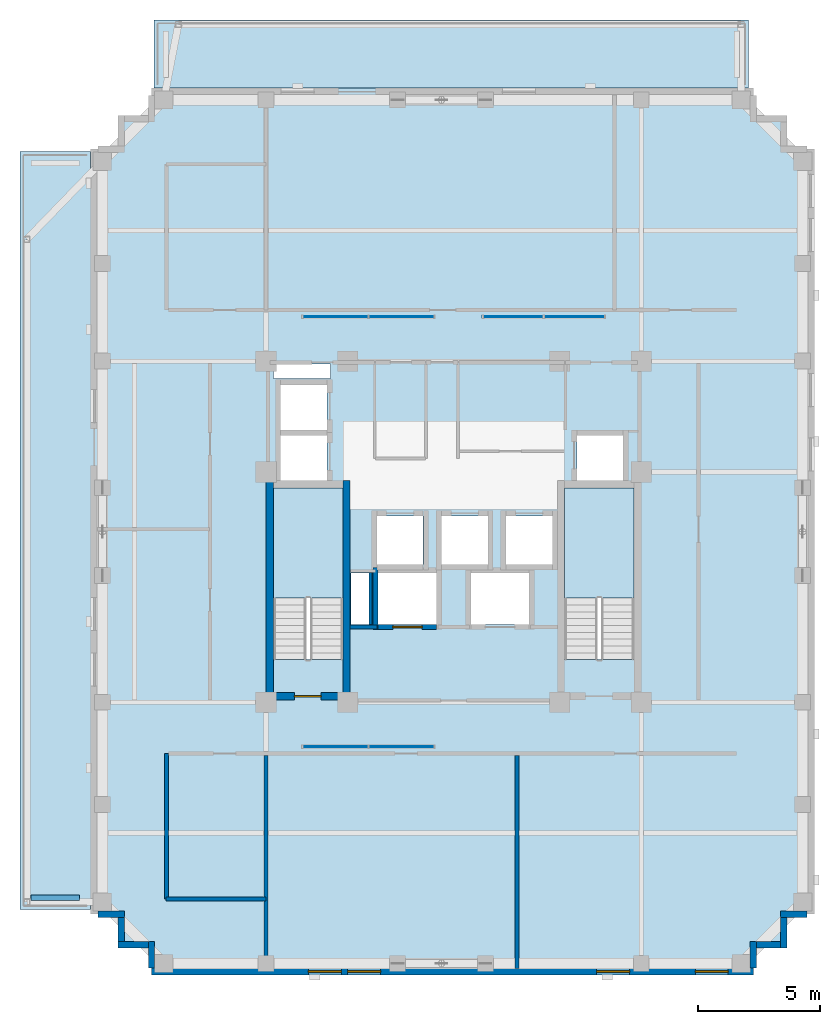
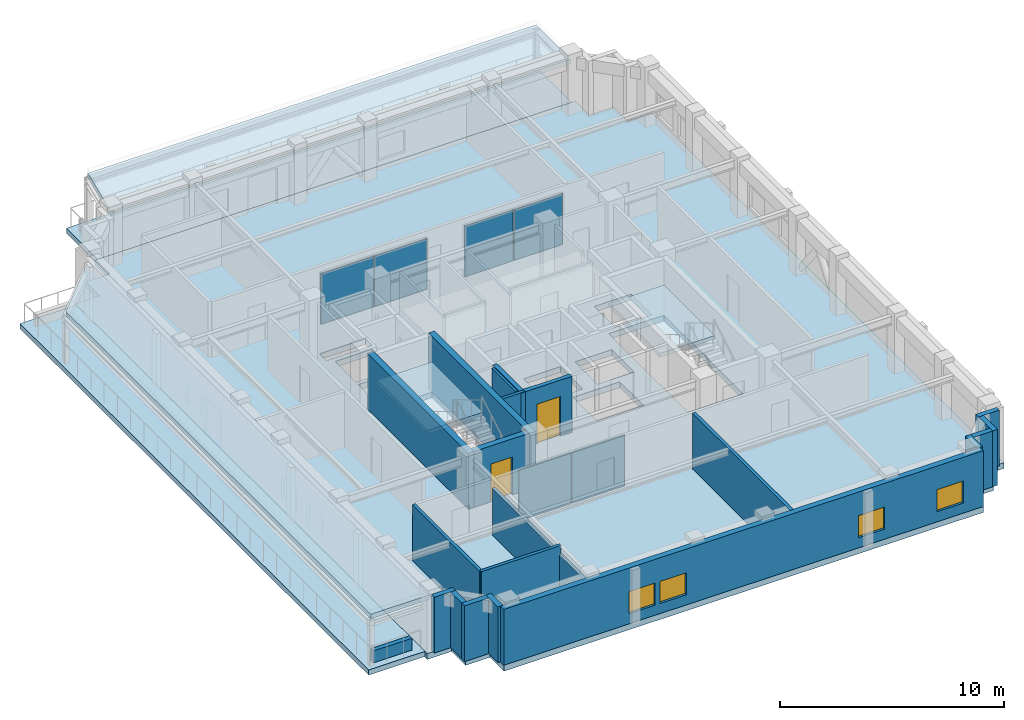
# One storey, part 7 of 14: 21 walls, 7 slabs, 6 plates, 4 windows, 2 doors, 6 openings, 5 elements without a shape of their own.
"""IFC4 building model written with IfcOpenShell, lengths in metres."""

from ifc_helpers import new_model, si_unit, derived_unit, direction, frame, frame_2d, origin, origin_2d, place, context, subcontext, project, spatial, polyline, rectangle, outline, extrude, material, layer, layer_set, type_object, element, fill, aggregate, save


model = new_model("IFC4")

# Units and contexts
model_context = context("Model", 3, precision=1e-05, world=origin(), true_north=direction((0.0, 1.0)))
body_context = subcontext(model_context, "Body", "Model", "MODEL_VIEW")
ifc_project = project(units=[si_unit("LENGTHUNIT", "METRE"), si_unit("AREAUNIT", "SQUARE_METRE"), si_unit("VOLUMEUNIT", "CUBIC_METRE"), si_unit("PLANEANGLEUNIT", "RADIAN"), si_unit("MASSUNIT", "GRAM", prefix="KILO"), derived_unit("THERMALTRANSMITTANCEUNIT", [(si_unit("MASSUNIT", "GRAM", prefix="KILO"), 1), (si_unit("TIMEUNIT", "SECOND"), -3), (si_unit("THERMODYNAMICTEMPERATUREUNIT", "KELVIN"), -1)])], contexts=[model_context])

# Site, building, storey
site_placement = place(None, origin())
site = spatial("IfcSite", under=ifc_project, at=site_placement, CompositionType="ELEMENT")
building_placement = place(site_placement, origin())
building = spatial("IfcBuilding", under=site, at=building_placement, Name="Korrvale Station Residences", CompositionType="ELEMENT")
storey_placement = place(building_placement, frame((0.0, 0.0, 174.39990234375)))
storey = spatial("IfcBuildingStorey", under=building, at=storey_placement, Name="L50", CompositionType="ELEMENT", Elevation=174.39990234375)

# Curtain wall, plates
ifc_material_1 = material(Name="Unitised thermally broken aluminium curtain wall with triple low-e IGU", Category="aluminium")
curtain_wall_type = type_object("IfcCurtainWallType", Name="CW-SKY-L35", PredefinedType="NOTDEFINED", material=ifc_material_1)
curtain_wall_1_placement = place(storey_placement, origin())
curtain_wall_1 = element("IfcCurtainWall", 1, at=curtain_wall_1_placement, inside=storey, type_object=curtain_wall_type, Name="L50 Curtain Wall CW4-RUN-4", PredefinedType="NOTDEFINED")
ifc_material_2 = material(Name="Triple-glazed low-e argon insulated glass unit", Category="glass")
ifc_layer_1 = layer(ifc_material_2, 0.035888671875, Name="Triple-glazed low-e argon insulated glass unit")
ifc_layer_set_1 = layer_set([ifc_layer_1], Name="Triple-glazed low-e argon insulated glass unit")
plate_type = type_object("IfcPlateType", Name="CW-SKY-L35-P", PredefinedType="CURTAIN_PANEL", material=ifc_layer_set_1)
plate_1_placement = place(storey_placement, frame((20.625, 30.820068359375, 0.02783203125), z_axis=(0.0, 0.0, 1.0), x_axis=(1.0, 0.0, 0.0)))
plate_1 = element("IfcPlate", 2, at=plate_1_placement, type_object=plate_type, Name="CW-SKY-L35 Glazing Panel 1-1", PredefinedType="CURTAIN_PANEL", context=body_context, shape_type="SweptSolid", body=[
    extrude(rectangle(XDim=2.695068359375, YDim=0.035888671875, at=origin_2d()), origin(), (0.0, 0.0, 1.0), 2.764892578125),
])
plate_2_placement = place(storey_placement, frame((23.375, 30.820068359375, 0.02783203125), z_axis=(0.0, 0.0, 1.0), x_axis=(1.0, 0.0, 0.0)))
plate_2 = element("IfcPlate", 3, at=plate_2_placement, type_object=plate_type, Name="CW-SKY-L35 Glazing Panel 2-1", PredefinedType="CURTAIN_PANEL", context=body_context, shape_type="SweptSolid", body=[
    extrude(rectangle(XDim=2.695068359375, YDim=0.035888671875, at=origin_2d()), origin(), (0.0, 0.0, 1.0), 2.764892578125),
])
aggregate(curtain_wall_1, [plate_1, plate_2])

curtain_wall_2_placement = place(storey_placement, origin())
curtain_wall_2 = element("IfcCurtainWall", 4, at=curtain_wall_2_placement, inside=storey, type_object=curtain_wall_type, Name="L50 Curtain Wall CW4-RUN-5", PredefinedType="NOTDEFINED")
plate_3_placement = place(storey_placement, frame((27.925048828125, 30.820068359375, 0.02783203125), z_axis=(0.0, 0.0, 1.0), x_axis=(1.0, 0.0, 0.0)))
plate_3 = element("IfcPlate", 5, at=plate_3_placement, type_object=plate_type, Name="CW-SKY-L35 Glazing Panel 1-1", PredefinedType="CURTAIN_PANEL", context=body_context, shape_type="SweptSolid", body=[
    extrude(rectangle(XDim=2.4951171875, YDim=0.035888671875, at=origin_2d()), origin(), (0.0, 0.0, 1.0), 2.764892578125),
])
plate_4_placement = place(storey_placement, frame((30.47509765625, 30.820068359375, 0.02783203125), z_axis=(0.0, 0.0, 1.0), x_axis=(1.0, 0.0, 0.0)))
plate_4 = element("IfcPlate", 6, at=plate_4_placement, type_object=plate_type, Name="CW-SKY-L35 Glazing Panel 2-1", PredefinedType="CURTAIN_PANEL", context=body_context, shape_type="SweptSolid", body=[
    extrude(rectangle(XDim=2.4951171875, YDim=0.035888671875, at=origin_2d()), origin(), (0.0, 0.0, 1.0), 2.764892578125),
])
aggregate(curtain_wall_2, [plate_3, plate_4])

curtain_wall_3_placement = place(storey_placement, origin())
curtain_wall_3 = element("IfcCurtainWall", 7, at=curtain_wall_3_placement, inside=storey, type_object=curtain_wall_type, Name="L50 Curtain Wall CW4-RUN-6", PredefinedType="NOTDEFINED")
plate_5_placement = place(storey_placement, frame((20.625, 13.179931640625, 0.02783203125), z_axis=(0.0, 0.0, 1.0), x_axis=(1.0, 0.0, 0.0)))
plate_5 = element("IfcPlate", 8, at=plate_5_placement, type_object=plate_type, Name="CW-SKY-L35 Glazing Panel 1-1", PredefinedType="CURTAIN_PANEL", context=body_context, shape_type="SweptSolid", body=[
    extrude(rectangle(XDim=2.695068359375, YDim=0.035888671875, at=origin_2d()), origin(), (0.0, 0.0, 1.0), 2.764892578125),
])
plate_6_placement = place(storey_placement, frame((23.375, 13.179931640625, 0.02783203125), z_axis=(0.0, 0.0, 1.0), x_axis=(1.0, 0.0, 0.0)))
plate_6 = element("IfcPlate", 9, at=plate_6_placement, type_object=plate_type, Name="CW-SKY-L35 Glazing Panel 2-1", PredefinedType="CURTAIN_PANEL", context=body_context, shape_type="SweptSolid", body=[
    extrude(rectangle(XDim=2.695068359375, YDim=0.035888671875, at=origin_2d()), origin(), (0.0, 0.0, 1.0), 2.764892578125),
])
aggregate(curtain_wall_3, [plate_5, plate_6])

# Slab
ifc_material_3 = material(Name="Concrete C50/60", Category="concrete")
ifc_layer_2 = layer(ifc_material_3, 0.320068359375, Name="Concrete C50/60")
ifc_layer_set_2 = layer_set([ifc_layer_2], Name="Concrete C50/60")
slab_type_1 = type_object("IfcSlabType", Name="SLB-FLR-320", PredefinedType="FLOOR", material=ifc_layer_set_2)
slab_1_placement = place(storey_placement, frame((0.0, 0.0, -0.31982421875)))
element("IfcSlab", 10, at=slab_1_placement, inside=storey, type_object=slab_type_1, Name="L50 Suspended Structural Floor Slab", PredefinedType="FLOOR", context=body_context, shape_type="SweptSolid", body=[
    extrude(outline(polyline([(13.10009765625, 3.800048828125), (37.800048828125, 3.800048828125), (37.800048828125, 5.050048828125), (39.050048828125, 5.050048828125), (39.050048828125, 6.300048828125), (40.300048828125, 6.300048828125), (40.300048828125, 37.699951171875), (39.050048828125, 37.699951171875), (39.050048828125, 38.949951171875), (37.800048828125, 38.949951171875), (37.800048828125, 40.199951171875), (13.10009765625, 40.199951171875), (13.10009765625, 38.949951171875), (11.85009765625, 38.949951171875), (11.85009765625, 37.699951171875), (10.60009765625, 37.699951171875), (10.60009765625, 6.300048828125), (11.85009765625, 6.300048828125), (11.85009765625, 5.050048828125), (13.10009765625, 5.050048828125), (13.10009765625, 3.800048828125)]), holes=[polyline([(20.949951171875, 16.751953125), (20.949951171875, 23.800048828125), (18.10009765625, 23.800048828125), (18.10009765625, 16.751953125), (20.949951171875, 16.751953125)]), polyline([(32.89990234375, 16.751953125), (32.89990234375, 23.800048828125), (30.050048828125, 23.800048828125), (30.050048828125, 16.751953125), (32.89990234375, 16.751953125)]), polyline([(22.35009765625, 20.64990234375), (24.25, 20.64990234375), (24.25, 22.64990234375), (22.35009765625, 22.64990234375), (22.35009765625, 20.64990234375)]), polyline([(25.0, 20.64990234375), (26.89990234375, 20.64990234375), (26.89990234375, 22.64990234375), (25.0, 22.64990234375), (25.0, 20.64990234375)]), polyline([(27.64990234375, 20.64990234375), (29.550048828125, 20.64990234375), (29.550048828125, 22.64990234375), (27.64990234375, 22.64990234375), (27.64990234375, 20.64990234375)]), polyline([(18.39990234375, 24.10009765625), (20.300048828125, 24.10009765625), (20.300048828125, 25.949951171875), (18.39990234375, 25.949951171875), (18.39990234375, 24.10009765625)]), polyline([(18.39990234375, 26.169921875), (20.300048828125, 26.169921875), (20.300048828125, 28.02001953125), (18.39990234375, 28.02001953125), (18.39990234375, 26.169921875)]), polyline([(30.550048828125, 24.10009765625), (32.449951171875, 24.10009765625), (32.449951171875, 25.949951171875), (30.550048828125, 25.949951171875), (30.550048828125, 24.10009765625)]), polyline([(22.39990234375, 18.199951171875), (24.800048828125, 18.199951171875), (24.800048828125, 20.300048828125), (22.39990234375, 20.300048828125), (22.39990234375, 18.199951171875)]), polyline([(26.199951171875, 18.199951171875), (28.60009765625, 18.199951171875), (28.60009765625, 20.300048828125), (26.199951171875, 20.300048828125), (26.199951171875, 18.199951171875)]), polyline([(18.10009765625, 28.280029296875), (20.449951171875, 28.280029296875), (20.449951171875, 28.8798828125), (18.10009765625, 28.8798828125), (18.10009765625, 28.280029296875)]), polyline([(21.280029296875, 18.199951171875), (22.02001953125, 18.199951171875), (22.02001953125, 20.300048828125), (21.280029296875, 20.300048828125), (21.280029296875, 18.199951171875)])]), origin(), (0.0, 0.0, 1.0), 0.31982421875),
])

# Stair, slab
stair_type = type_object("IfcStairType", Name="STR-DL-1350-20R-1650", PredefinedType="HALF_TURN_STAIR", material=ifc_material_3)
stair_1_placement = place(storey_placement, origin())
stair_1 = element("IfcStair", 11, at=stair_1_placement, inside=storey, type_object=stair_type, Name="L50 Exit Stair 1", PredefinedType="HALF_TURN_STAIR")
ifc_layer_3 = layer(ifc_material_3, 0.199951171875, Name="Concrete C50/60")
ifc_layer_set_3 = layer_set([ifc_layer_3], Name="Concrete C50/60")
slab_type_2 = type_object("IfcSlabType", Name="SLB-LND-200", PredefinedType="LANDING", material=ifc_layer_set_3)
slab_2_placement = place(storey_placement, frame((0.0, 0.0, 1.4501953125)))
slab_2 = element("IfcSlab", 12, at=slab_2_placement, type_object=slab_type_2, Name="ST-1 landing 1", PredefinedType="LANDING", context=body_context, shape_type="SweptSolid", body=[
    extrude(outline(polyline([(20.949951171875, 19.27001953125), (20.949951171875, 23.800048828125), (18.10009765625, 23.800048828125), (18.10009765625, 19.27001953125), (20.949951171875, 19.27001953125)])), origin(), (0.0, 0.0, 1.0), 0.199951171875),
])
aggregate(stair_1, [slab_2])

stair_2_placement = place(storey_placement, origin())
stair_2 = element("IfcStair", 13, at=stair_2_placement, inside=storey, type_object=stair_type, Name="L50 Exit Stair 2", PredefinedType="HALF_TURN_STAIR")
slab_3_placement = place(storey_placement, frame((0.0, 0.0, 1.4501953125)))
slab_3 = element("IfcSlab", 14, at=slab_3_placement, type_object=slab_type_2, Name="ST-2 landing 1", PredefinedType="LANDING", context=body_context, shape_type="SweptSolid", body=[
    extrude(outline(polyline([(32.89990234375, 19.27001953125), (32.89990234375, 23.800048828125), (30.050048828125, 23.800048828125), (30.050048828125, 19.27001953125), (32.89990234375, 19.27001953125)])), origin(), (0.0, 0.0, 1.0), 0.199951171875),
])
aggregate(stair_2, [slab_3])

# Slabs
ifc_layer_4 = layer(ifc_material_3, 0.300048828125, Name="Concrete C50/60")
ifc_layer_set_4 = layer_set([ifc_layer_4], Name="Concrete C50/60")
slab_type_3 = type_object("IfcSlabType", Name="SLB-ROOF-300", PredefinedType="ROOF", material=ifc_layer_set_4)
slab_4_placement = place(storey_placement, frame((0.0, 0.0, 2.5)))
element("IfcSlab", 15, at=slab_4_placement, inside=storey, type_object=slab_type_3, Name="L50 Frame-Carried Setback Terrace Roof Deck TER-L50-N", PredefinedType="ROOF", context=body_context, shape_type="SweptSolid", body=[
    extrude(outline(polyline([(14.199951171875, 42.820068359375), (37.300048828125, 42.820068359375), (37.300048828125, 39.719970703125), (13.60009765625, 39.719970703125), (14.199951171875, 42.820068359375)])), origin(), (0.0, 0.0, 1.0), 0.25),
])
slab_5_placement = place(storey_placement, frame((0.0, 0.0, 2.5)))
element("IfcSlab", 16, at=slab_5_placement, inside=storey, type_object=slab_type_3, Name="L50 Frame-Carried Setback Terrace Roof Deck TER-L50-W", PredefinedType="ROOF", context=body_context, shape_type="SweptSolid", body=[
    extrude(outline(polyline([(7.97998046875, 6.800048828125), (7.97998046875, 34.0), (11.080078125, 37.199951171875), (11.080078125, 6.800048828125), (7.97998046875, 6.800048828125)])), origin(), (0.0, 0.0, 1.0), 0.25),
])
ifc_layer_5 = layer(ifc_material_3, 0.280029296875, Name="Concrete C50/60")
ifc_layer_set_5 = layer_set([ifc_layer_5], Name="Concrete C50/60")
slab_type_4 = type_object("IfcSlabType", Name="SLB-TER-280", PredefinedType="FLOOR", material=ifc_layer_set_5)
slab_6_placement = place(storey_placement, frame((0.0, 0.0, -0.27978515625)))
element("IfcSlab", 17, at=slab_6_placement, inside=storey, type_object=slab_type_4, Name="L50 Outdoor Setback Terrace Slab TER-L50-N", PredefinedType="FLOOR", context=body_context, shape_type="SweptSolid", body=[
    extrude(outline(polyline([(13.199951171875, 40.199951171875), (37.60009765625, 40.199951171875), (37.60009765625, 43.0), (13.199951171875, 43.0), (13.199951171875, 40.199951171875)])), origin(), (0.0, 0.0, 1.0), 0.27978515625),
])
slab_7_placement = place(storey_placement, frame((0.0, 0.0, -0.27978515625)))
element("IfcSlab", 18, at=slab_7_placement, inside=storey, type_object=slab_type_4, Name="L50 Outdoor Setback Terrace Slab TER-L50-W", PredefinedType="FLOOR", context=body_context, shape_type="SweptSolid", body=[
    extrude(outline(polyline([(7.699951171875, 6.5), (10.60009765625, 6.5), (10.60009765625, 37.60009765625), (7.699951171875, 37.60009765625), (7.699951171875, 6.5)])), origin(), (0.0, 0.0, 1.0), 0.27978515625),
])

# Walls
ifc_layer_6 = layer(ifc_material_3, 0.300048828125, Name="Concrete C50/60")
ifc_layer_set_6 = layer_set([ifc_layer_6], Name="Concrete C50/60")
wall_type_1 = type_object("IfcWallType", Name="WAL-CORE-300-C50", PredefinedType="SHEAR", material=ifc_layer_set_6)
for number, where, z_axis, x_axis, name in (
    (19, (17.949951171875, 15.10009765625, 0.0), (0.0, 0.0, 1.0), (0.0, 1.0, 0.0), "L50 ST-1 Core Shear Wall West"),
    (20, (21.10009765625, 15.10009765625, 0.0), (0.0, 0.0, 1.0), (0.0, 1.0, 0.0), "L50 ST-1 Core Shear Wall East"),
):
    element("IfcWall", number, at=place(storey_placement, frame(where, z_axis=z_axis, x_axis=x_axis)), inside=storey, type_object=wall_type_1, Name=name, PredefinedType="SHEAR", context=body_context, shape_type="SweptSolid", body=[
        extrude(rectangle(XDim=9.0, YDim=0.300048828125, at=frame_2d((4.5, 0.0))), origin(), (0.0, 0.0, 1.0), 3.0400390625),
    ])

# Wall, opening, door
wall_1_placement = place(storey_placement, frame((18.10009765625, 15.25, 0.0), z_axis=(0.0, 0.0, 1.0), x_axis=(1.0, 0.0, 0.0)))
wall_1 = element("IfcWall", 21, at=wall_1_placement, inside=storey, type_object=wall_type_1, Name="L50 ST-1 Core Shear Wall South", PredefinedType="SHEAR", context=body_context, shape_type="SweptSolid", body=[
    extrude(rectangle(XDim=2.849853515625, YDim=0.300048828125, at=frame_2d((1.4248046875, 0.0))), origin(), (0.0, 0.0, 1.0), 3.0400390625),
])
opening_1_placement = place(wall_1_placement, frame((0.860107421875, 0.0, 0.0)))
opening_1 = element("IfcOpeningElement", 22, at=opening_1_placement, cuts=wall_1, Name="Opening SD-1100", PredefinedType="OPENING", context=body_context, shape_type="SweptSolid", body=[
    extrude(rectangle(XDim=1.10009765625, YDim=2.050048828125, at=frame_2d((0.550048828125, 1.02490234375))), frame((0.0, 0.16015625, 0.0), z_axis=(0.0, -1.0, 0.0), x_axis=(1.0, 0.0, 0.0)), (0.0, 0.0, 1.0), 0.320068359375),
])
ifc_material_4 = material(Name="Hollow-metal fire-rated stair door with closer", Category="steel")
door_type_1 = type_object("IfcDoorType", Name="DR-STAIR-1100", OperationType="NOTDEFINED", PredefinedType="DOOR", material=ifc_material_4)
door_1_placement = place(opening_1_placement, origin())
door_1 = element("IfcDoor", 23, at=door_1_placement, inside=storey, type_object=door_type_1, Name="L50 ST-1 Exit Stair Door", OperationType="SINGLE_SWING_LEFT", OverallHeight=2.050048828125, OverallWidth=1.10009765625, PredefinedType="DOOR", context=body_context, shape_type="SweptSolid", body=[
    extrude(rectangle(XDim=1.10009765625, YDim=2.050048828125, at=frame_2d((0.550048828125, 1.02490234375))), frame((0.0, 0.02490234375, 0.0), z_axis=(0.0, -1.0, 0.0), x_axis=(1.0, 0.0, 0.0)), (0.0, 0.0, 1.0), 0.050048828125),
])
fill(opening_1, door_1)

# Walls
ifc_material_5 = material(Name="Precast concrete C45/55", Category="concrete")
ifc_layer_7 = layer(ifc_material_5, 0.260009765625, Name="Precast concrete C45/55")
ifc_layer_set_7 = layer_set([ifc_layer_7], Name="Precast concrete C45/55")
wall_type_2 = type_object("IfcWallType", Name="WAL-EXT-LOG260", PredefinedType="SOLIDWALL", material=ifc_layer_set_7)
wall_2_placement = place(storey_placement, frame((39.998046875, 6.300048828125, 0.0), z_axis=(0.0, 0.0, 1.0), x_axis=(-1.0, 0.0, 0.0)))
element("IfcWall", 24, at=wall_2_placement, inside=storey, type_object=wall_type_2, Name="L50 Serrated Corner Precast Step SE-1", PredefinedType="SOLIDWALL", context=body_context, shape_type="SweptSolid", body=[
    extrude(rectangle(XDim=1.078125, YDim=0.260009765625, at=frame_2d((0.5390625, 0.0))), origin(), (0.0, 0.0, 1.0), 3.0400390625),
])
wall_3_placement = place(storey_placement, frame((39.050048828125, 6.16796875, 0.0), z_axis=(0.0, 0.0, 1.0), x_axis=(0.0, -1.0, 0.0)))
element("IfcWall", 25, at=wall_3_placement, inside=storey, type_object=wall_type_2, Name="L50 Serrated Corner Precast Step SE-2", PredefinedType="SOLIDWALL", context=body_context, shape_type="SweptSolid", body=[
    extrude(rectangle(XDim=1.248046875, YDim=0.260009765625, at=frame_2d((0.6240234375, 0.0))), origin(), (0.0, 0.0, 1.0), 3.0400390625),
])
wall_4_placement = place(storey_placement, frame((38.91796875, 5.050048828125, 0.0), z_axis=(0.0, 0.0, 1.0), x_axis=(-1.0, 0.0, 0.0)))
element("IfcWall", 26, at=wall_4_placement, inside=storey, type_object=wall_type_2, Name="L50 Serrated Corner Precast Step SE-3", PredefinedType="SOLIDWALL", context=body_context, shape_type="SweptSolid", body=[
    extrude(rectangle(XDim=0.986083984375, YDim=0.260009765625, at=frame_2d((0.4931640625, 0.0))), origin(), (0.0, 0.0, 1.0), 3.0400390625),
])
for number, where, z_axis, x_axis, name in (
    (27, (37.800048828125, 5.179931640625, 0.0), (0.0, 0.0, 1.0), (0.0, -1.0, 0.0), "L50 Serrated Corner Precast Step SE-4"),
    (28, (13.10009765625, 4.10205078125, 0.0), (0.0, 0.0, 1.0), (0.0, 1.0, 0.0), "L50 Serrated Corner Precast Step SW-1"),
):
    element("IfcWall", number, at=place(storey_placement, frame(where, z_axis=z_axis, x_axis=x_axis)), inside=storey, type_object=wall_type_2, Name=name, PredefinedType="SOLIDWALL", context=body_context, shape_type="SweptSolid", body=[
        extrude(rectangle(XDim=1.077880859375, YDim=0.260009765625, at=frame_2d((0.5390625, 0.0))), origin(), (0.0, 0.0, 1.0), 3.0400390625),
    ])
wall_5_placement = place(storey_placement, frame((12.968017578125, 5.050048828125, 0.0), z_axis=(0.0, 0.0, 1.0), x_axis=(-1.0, 0.0, 0.0)))
element("IfcWall", 29, at=wall_5_placement, inside=storey, type_object=wall_type_2, Name="L50 Serrated Corner Precast Step SW-2", PredefinedType="SOLIDWALL", context=body_context, shape_type="SweptSolid", body=[
    extrude(rectangle(XDim=1.248046875, YDim=0.260009765625, at=frame_2d((0.6240234375, 0.0))), origin(), (0.0, 0.0, 1.0), 3.0400390625),
])
wall_6_placement = place(storey_placement, frame((11.85009765625, 5.181884765625, 0.0), z_axis=(0.0, 0.0, 1.0), x_axis=(0.0, 1.0, 0.0)))
element("IfcWall", 30, at=wall_6_placement, inside=storey, type_object=wall_type_2, Name="L50 Serrated Corner Precast Step SW-3", PredefinedType="SOLIDWALL", context=body_context, shape_type="SweptSolid", body=[
    extrude(rectangle(XDim=0.986083984375, YDim=0.260009765625, at=frame_2d((0.4931640625, 0.0))), origin(), (0.0, 0.0, 1.0), 3.0400390625),
])
wall_7_placement = place(storey_placement, frame((11.97998046875, 6.300048828125, 0.0), z_axis=(0.0, 0.0, 1.0), x_axis=(-1.0, 0.0, 0.0)))
element("IfcWall", 31, at=wall_7_placement, inside=storey, type_object=wall_type_2, Name="L50 Serrated Corner Precast Step SW-4", PredefinedType="SOLIDWALL", context=body_context, shape_type="SweptSolid", body=[
    extrude(rectangle(XDim=1.077880859375, YDim=0.260009765625, at=frame_2d((0.5390625, 0.0))), origin(), (0.0, 0.0, 1.0), 3.0400390625),
])

# Wall, openings, windows
ifc_layer_8 = layer(ifc_material_5, 0.300048828125, Name="Precast concrete C45/55")
ifc_layer_set_8 = layer_set([ifc_layer_8], Name="Precast concrete C45/55")
wall_type_3 = type_object("IfcWallType", Name="WAL-EXT-PC300", PredefinedType="SOLIDWALL", material=ifc_layer_set_8)
wall_8_placement = place(storey_placement, frame((37.800048828125, 3.949951171875, 0.0), z_axis=(0.0, 0.0, 1.0), x_axis=(-1.0, 0.0, 0.0)))
wall_8 = element("IfcWall", 32, at=wall_8_placement, inside=storey, type_object=wall_type_3, Name="L50 South Exterior Precast Wall 1", PredefinedType="SOLIDWALL", context=body_context, shape_type="SweptSolid", body=[
    extrude(rectangle(XDim=24.699951171875, YDim=0.300048828125, at=frame_2d((12.35009765625, 0.0))), origin(), (0.0, 0.0, 1.0), 3.0400390625),
])
opening_2_placement = place(wall_8_placement, frame((15.300048828125, 0.0, 0.550048828125)))
opening_2 = element("IfcOpeningElement", 33, at=opening_2_placement, cuts=wall_8, Name="Opening W-10", PredefinedType="OPENING", context=body_context, shape_type="SweptSolid", body=[
    extrude(rectangle(XDim=1.35009765625, YDim=1.199951171875, at=frame_2d((0.675048828125, 0.60009765625))), frame((0.0, 0.16015625, 0.0), z_axis=(0.0, -1.0, 0.0), x_axis=(1.0, 0.0, 0.0)), (0.0, 0.0, 1.0), 0.320068359375),
])
opening_3_placement = place(wall_8_placement, frame((16.909912109375, 0.0, 0.550048828125)))
opening_3 = element("IfcOpeningElement", 34, at=opening_3_placement, cuts=wall_8, Name="Opening W-10", PredefinedType="OPENING", context=body_context, shape_type="SweptSolid", body=[
    extrude(rectangle(XDim=1.35009765625, YDim=1.199951171875, at=frame_2d((0.675048828125, 0.60009765625))), frame((0.0, 0.16015625, 0.0), z_axis=(0.0, -1.0, 0.0), x_axis=(1.0, 0.0, 0.0)), (0.0, 0.0, 1.0), 0.320068359375),
])
opening_4_placement = place(wall_8_placement, frame((5.0849609375, 0.0, 0.550048828125)))
opening_4 = element("IfcOpeningElement", 35, at=opening_4_placement, cuts=wall_8, Name="Opening W-10", PredefinedType="OPENING", context=body_context, shape_type="SweptSolid", body=[
    extrude(rectangle(XDim=1.35009765625, YDim=1.199951171875, at=frame_2d((0.675048828125, 0.60009765625))), frame((0.0, 0.16015625, 0.0), z_axis=(0.0, -1.0, 0.0), x_axis=(1.0, 0.0, 0.0)), (0.0, 0.0, 1.0), 0.320068359375),
])
opening_5_placement = place(wall_8_placement, frame((1.034912109375, 0.0, 0.550048828125)))
opening_5 = element("IfcOpeningElement", 36, at=opening_5_placement, cuts=wall_8, Name="Opening W-10", PredefinedType="OPENING", context=body_context, shape_type="SweptSolid", body=[
    extrude(rectangle(XDim=1.35009765625, YDim=1.199951171875, at=frame_2d((0.675048828125, 0.60009765625))), frame((0.0, 0.16015625, 0.0), z_axis=(0.0, -1.0, 0.0), x_axis=(1.0, 0.0, 0.0)), (0.0, 0.0, 1.0), 0.320068359375),
])
ifc_material_6 = material(Name="Thermally broken aluminium frame with triple low-e glazing", Category="aluminium")
window_type = type_object("IfcWindowType", Name="WIN-W10", PartitioningType="SINGLE_PANEL", PredefinedType="WINDOW", material=ifc_material_6)
window_1_placement = place(opening_2_placement, origin())
window_1 = element("IfcWindow", 37, at=window_1_placement, inside=storey, type_object=window_type, Name="L50 Punched Window 05", OverallHeight=1.199951171875, OverallWidth=1.35009765625, PartitioningType="SINGLE_PANEL", PredefinedType="WINDOW", context=body_context, shape_type="SweptSolid", body=[
    extrude(rectangle(XDim=1.35009765625, YDim=1.199951171875, at=frame_2d((0.675048828125, 0.60009765625))), frame((0.0, 0.030029296875, 0.0), z_axis=(0.0, -1.0, 0.0), x_axis=(1.0, 0.0, 0.0)), (0.0, 0.0, 1.0), 0.06005859375),
])
fill(opening_2, window_1)
window_2_placement = place(opening_3_placement, origin())
window_2 = element("IfcWindow", 38, at=window_2_placement, inside=storey, type_object=window_type, Name="L50 Punched Window 06", OverallHeight=1.199951171875, OverallWidth=1.35009765625, PartitioningType="SINGLE_PANEL", PredefinedType="WINDOW", context=body_context, shape_type="SweptSolid", body=[
    extrude(rectangle(XDim=1.35009765625, YDim=1.199951171875, at=frame_2d((0.675048828125, 0.60009765625))), frame((0.0, 0.030029296875, 0.0), z_axis=(0.0, -1.0, 0.0), x_axis=(1.0, 0.0, 0.0)), (0.0, 0.0, 1.0), 0.06005859375),
])
fill(opening_3, window_2)
window_3_placement = place(opening_4_placement, origin())
window_3 = element("IfcWindow", 39, at=window_3_placement, inside=storey, type_object=window_type, Name="L50 Punched Window 07", OverallHeight=1.199951171875, OverallWidth=1.35009765625, PartitioningType="SINGLE_PANEL", PredefinedType="WINDOW", context=body_context, shape_type="SweptSolid", body=[
    extrude(rectangle(XDim=1.35009765625, YDim=1.199951171875, at=frame_2d((0.675048828125, 0.60009765625))), frame((0.0, 0.030029296875, 0.0), z_axis=(0.0, -1.0, 0.0), x_axis=(1.0, 0.0, 0.0)), (0.0, 0.0, 1.0), 0.06005859375),
])
fill(opening_4, window_3)
window_4_placement = place(opening_5_placement, origin())
window_4 = element("IfcWindow", 40, at=window_4_placement, inside=storey, type_object=window_type, Name="L50 Punched Window 08", OverallHeight=1.199951171875, OverallWidth=1.35009765625, PartitioningType="SINGLE_PANEL", PredefinedType="WINDOW", context=body_context, shape_type="SweptSolid", body=[
    extrude(rectangle(XDim=1.35009765625, YDim=1.199951171875, at=frame_2d((0.675048828125, 0.60009765625))), frame((0.0, 0.030029296875, 0.0), z_axis=(0.0, -1.0, 0.0), x_axis=(1.0, 0.0, 0.0)), (0.0, 0.0, 1.0), 0.06005859375),
])
fill(opening_5, window_4)

# Walls
ifc_layer_9 = layer(ifc_material_5, 0.219970703125, Name="Precast concrete C45/55")
ifc_layer_set_9 = layer_set([ifc_layer_9], Name="Precast concrete C45/55")
wall_type_4 = type_object("IfcWallType", Name="WAL-PAR-220", PredefinedType="PARAPET", material=ifc_layer_set_9)
wall_9_placement = place(storey_placement, frame((8.14990234375, 6.97998046875, 0.0), z_axis=(0.0, 0.0, 1.0), x_axis=(1.0, 0.0, 0.0)))
element("IfcWall", 41, at=wall_9_placement, inside=storey, type_object=wall_type_4, Name="L50 Terrace Planter Parapet TER-L50-W-S", PredefinedType="PARAPET", context=body_context, shape_type="SweptSolid", body=[
    extrude(rectangle(XDim=2.0, YDim=0.219970703125, at=frame_2d((1.0, 0.0))), origin(), (0.0, 0.0, 1.0), 0.650146484375),
])
ifc_material_7 = material(Name="Acoustic steel-stud gypsum board partition", Category="steel")
ifc_layer_10 = layer(ifc_material_7, 0.1201171875, Name="Acoustic steel-stud gypsum board partition")
ifc_layer_set_10 = layer_set([ifc_layer_10], Name="Acoustic steel-stud gypsum board partition")
wall_type_5 = type_object("IfcWallType", Name="WAL-PART-125", PredefinedType="PARTITIONING", material=ifc_layer_set_10)
wall_10_placement = place(storey_placement, frame((22.080078125, 18.199951171875, 0.0), z_axis=(0.0, 0.0, 1.0), x_axis=(0.0, 1.0, 0.0)))
element("IfcWall", 42, at=wall_10_placement, inside=storey, type_object=wall_type_5, Name="L50 Core Partition CW-RSWT", PredefinedType="PARTITIONING", context=body_context, shape_type="SweptSolid", body=[
    extrude(rectangle(XDim=2.1201171875, YDim=0.1201171875, at=frame_2d((1.06005859375, 0.0))), origin(), (0.0, 0.0, 1.0), 3.0400390625),
])
ifc_material_8 = material(Name="Fire-rated twin-stud gypsum and mineral wool shaftwall assembly", Category="gypsum")
ifc_layer_11 = layer(ifc_material_8, 0.159912109375, Name="Fire-rated twin-stud gypsum and mineral wool shaftwall assembly")
ifc_layer_set_11 = layer_set([ifc_layer_11], Name="Fire-rated twin-stud gypsum and mineral wool shaftwall assembly")
wall_type_6 = type_object("IfcWallType", Name="WAL-PART-200", PredefinedType="PARTITIONING", material=ifc_layer_set_11)
wall_11_placement = place(storey_placement, frame((21.25, 18.080078125, 0.0), z_axis=(0.0, 0.0, 1.0), x_axis=(1.0, 0.0, 0.0)))
element("IfcWall", 43, at=wall_11_placement, inside=storey, type_object=wall_type_6, Name="L50 Core Partition CW-FFL-N1", PredefinedType="PARTITIONING", context=body_context, shape_type="SweptSolid", body=[
    extrude(rectangle(XDim=1.10009765625, YDim=0.159912109375, at=frame_2d((0.550048828125, 0.0))), origin(), (0.0, 0.0, 1.0), 3.0400390625),
])
wall_12_placement = place(storey_placement, frame((17.800048828125, 4.080078125, 0.0), z_axis=(0.0, 0.0, 1.0), x_axis=(0.0, 1.0, 0.0)))
element("IfcWall", 44, at=wall_12_placement, inside=storey, type_object=wall_type_6, Name="L50 Interior Partition W-SM1", PredefinedType="PARTITIONING", context=body_context, shape_type="SweptSolid", body=[
    extrude(rectangle(XDim=8.739990234375, YDim=0.159912109375, at=frame_2d((4.3701171875, 0.0))), origin(), (0.0, 0.0, 1.0), 2.55615234375),
])
wall_13_placement = place(storey_placement, frame((28.10009765625, 4.080078125, 0.0), z_axis=(0.0, 0.0, 1.0), x_axis=(0.0, 1.0, 0.0)))
element("IfcWall", 45, at=wall_13_placement, inside=storey, type_object=wall_type_6, Name="L50 Interior Partition W-SM3", PredefinedType="PARTITIONING", context=body_context, shape_type="SweptSolid", body=[
    extrude(rectangle(XDim=8.739990234375, YDim=0.159912109375, at=frame_2d((4.3701171875, 0.0))), origin(), (0.0, 0.0, 1.0), 3.0400390625),
])
wall_14_placement = place(storey_placement, frame((13.699951171875, 6.919921875, 0.0), z_axis=(0.0, 0.0, 1.0), x_axis=(1.0, 0.0, 0.0)))
element("IfcWall", 46, at=wall_14_placement, inside=storey, type_object=wall_type_6, Name="L50 Interior Partition W-SKT-S", PredefinedType="PARTITIONING", context=body_context, shape_type="SweptSolid", body=[
    extrude(rectangle(XDim=4.10009765625, YDim=0.159912109375, at=frame_2d((2.050048828125, 0.0))), origin(), (0.0, 0.0, 1.0), 3.0400390625),
])
wall_15_placement = place(storey_placement, frame((13.719970703125, 6.919921875, 0.0), z_axis=(0.0, 0.0, 1.0), x_axis=(0.0, 1.0, 0.0)))
element("IfcWall", 47, at=wall_15_placement, inside=storey, type_object=wall_type_6, Name="L50 Interior Partition W-SKT-W", PredefinedType="PARTITIONING", context=body_context, shape_type="SweptSolid", body=[
    extrude(rectangle(XDim=5.97998046875, YDim=0.159912109375, at=frame_2d((2.989990234375, 0.0))), origin(), (0.0, 0.0, 1.0), 3.0400390625),
])

# Wall, opening, door
ifc_layer_12 = layer(ifc_material_3, 0.219970703125, Name="Concrete C50/60")
ifc_layer_set_12 = layer_set([ifc_layer_12], Name="Concrete C50/60")
wall_type_7 = type_object("IfcWallType", Name="WAL-SHAFT-220-C50", PredefinedType="SHEAR", material=ifc_layer_set_12)
wall_16_placement = place(storey_placement, frame((22.39990234375, 18.090087890625, 0.0), z_axis=(0.0, 0.0, 1.0), x_axis=(1.0, 0.0, 0.0)))
wall_16 = element("IfcWall", 48, at=wall_16_placement, inside=storey, type_object=wall_type_7, Name="L50 Elevator FFL-1 Hoistway Wall South", PredefinedType="SHEAR", context=body_context, shape_type="SweptSolid", body=[
    extrude(rectangle(XDim=2.400146484375, YDim=0.219970703125, at=frame_2d((1.2001953125, 0.0))), origin(), (0.0, 0.0, 1.0), 3.0400390625),
])
opening_6_placement = place(wall_16_placement, frame((0.60009765625, 0.0, 0.0)))
opening_6 = element("IfcOpeningElement", 49, at=opening_6_placement, cuts=wall_16, Name="Opening LD-FF1200", PredefinedType="OPENING", context=body_context, shape_type="SweptSolid", body=[
    extrude(rectangle(XDim=1.199951171875, YDim=2.14990234375, at=frame_2d((0.60009765625, 1.074951171875))), frame((0.0, 0.1201171875, 0.0), z_axis=(0.0, -1.0, 0.0), x_axis=(1.0, 0.0, 0.0)), (0.0, 0.0, 1.0), 0.239990234375),
])
ifc_material_9 = material(Name="Stainless-steel firefighter elevator landing sliding door", Category="steel")
door_type_2 = type_object("IfcDoorType", Name="DR-LIFT-FF1200", OperationType="SLIDING_TO_LEFT", PredefinedType="DOOR", material=ifc_material_9)
door_2_placement = place(opening_6_placement, origin())
door_2 = element("IfcDoor", 50, at=door_2_placement, inside=storey, type_object=door_type_2, Name="L50 Elevator FFL-1 Sliding Landing Door", OperationType="SLIDING_TO_LEFT", OverallHeight=2.14990234375, OverallWidth=1.199951171875, PredefinedType="DOOR", context=body_context, shape_type="SweptSolid", body=[
    extrude(rectangle(XDim=1.199951171875, YDim=2.14990234375, at=frame_2d((0.60009765625, 1.074951171875))), frame((0.0, 0.02490234375, 0.0), z_axis=(0.0, -1.0, 0.0), x_axis=(1.0, 0.0, 0.0)), (0.0, 0.0, 1.0), 0.050048828125),
])
fill(opening_6, door_2)

# Wall
wall_17_placement = place(storey_placement, frame((22.2900390625, 17.97998046875, 0.0), z_axis=(0.0, 0.0, 1.0), x_axis=(0.0, 1.0, 0.0)))
element("IfcWall", 51, at=wall_17_placement, inside=storey, type_object=wall_type_7, Name="L50 Elevator FFL-1 Hoistway Wall West", PredefinedType="SHEAR", context=body_context, shape_type="SweptSolid", body=[
    extrude(rectangle(XDim=2.5400390625, YDim=0.219970703125, at=frame_2d((1.27001953125, 0.0))), origin(), (0.0, 0.0, 1.0), 3.0400390625),
])

save(model, "model.ifc")
